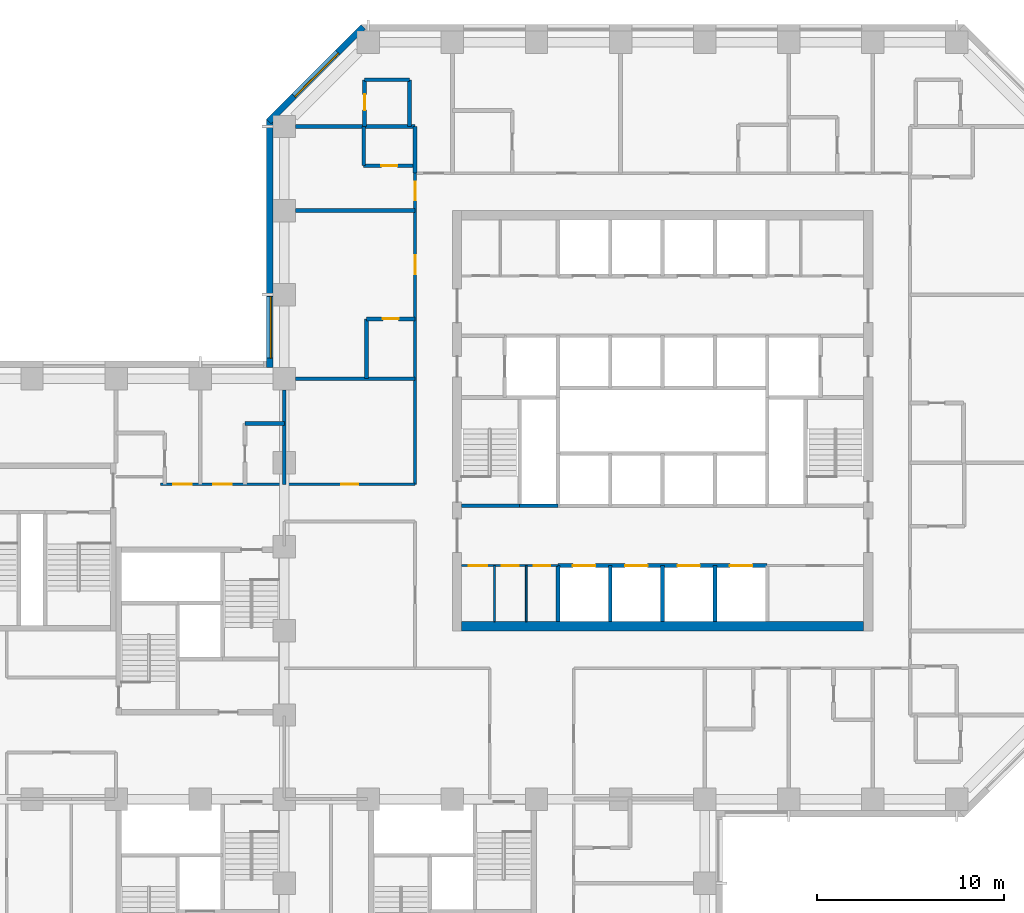
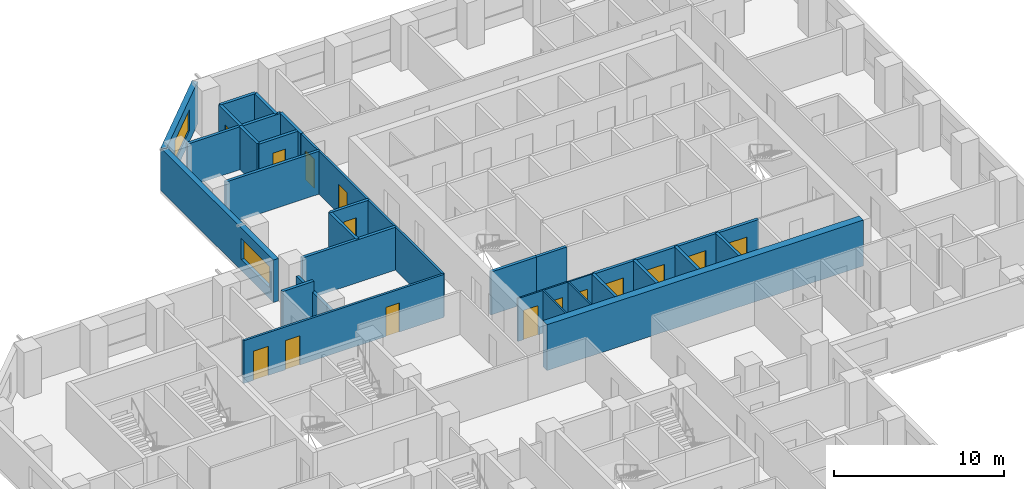
# One storey, part 8 of 13: 28 walls, 15 doors, 2 windows, 17 openings.
"""IFC4 building model written with IfcOpenShell, lengths in metres."""

import ifcopenshell
import ifcopenshell.guid

model = None  # the IFC model being written
_history = None  # IfcOwnerHistory: only IFC2X3 demands one
_inside = {}  # id of a spatial element -> (the spatial element, [elements in it])
_under = {}  # id of a project, library or spatial element -> (it, [spatial elements below it])
_declared = {}  # id of a project -> (the project, [libraries it declares])
_typed = {}  # id of a type object -> (the type object, [elements of that type])
_made_of = {}  # id of a material, layer set ... -> (it, [elements and type objects made of it])


def new_model(schema):
    """Start an empty IFC model of exactly this schema.

    Asked for "IFC4X3", IfcOpenShell would pick the latest addendum, in which some entities
    have other attributes; the version numbers below select the first issue.
    IFC2X3 requires an IfcOwnerHistory on every rooted entity: one is made here for all.
    """
    global model, _history
    if schema == "IFC4X3":
        model = ifcopenshell.file(schema_version=(4, 3, 0, 0))
    else:
        model = ifcopenshell.file(schema=schema)
    _inside.clear()
    _under.clear()
    _declared.clear()
    _typed.clear()
    _made_of.clear()
    _history = None
    if model.schema == "IFC2X3":
        org = make("IfcOrganization", Name="unknown")
        user = make(
            "IfcPersonAndOrganization",
            ThePerson=make("IfcPerson", FamilyName="unknown"),
            TheOrganization=org,
        )
        app = make(
            "IfcApplication",
            ApplicationDeveloper=org,
            Version="unknown",
            ApplicationFullName="unknown",
            ApplicationIdentifier="unknown",
        )
        _history = make(
            "IfcOwnerHistory",
            OwningUser=user,
            OwningApplication=app,
            ChangeAction="ADDED",
            CreationDate=0,
        )
    return model


def make(cls, **values):
    """One entity of the class cls with the attributes given. An attribute that is None is left unset."""
    return model.create_entity(
        cls, **{name: value for name, value in values.items() if value is not None}
    )


def rooted(cls, **values):
    """An entity with a GlobalId (a new one), such as an element, a storey or a relation."""
    return make(cls, GlobalId=ifcopenshell.guid.new(), OwnerHistory=_history, **values)


def si_unit(unit_type, name, prefix=None):
    """IfcSIUnit, for example si_unit("LENGTHUNIT", "METRE", prefix="MILLI")."""
    return make("IfcSIUnit", UnitType=unit_type, Prefix=prefix, Name=name)


def assignment(units):
    """IfcUnitAssignment: the units of a project."""
    return None if units is None else make("IfcUnitAssignment", Units=units)


def point(xyz):
    """IfcCartesianPoint."""
    return None if xyz is None else make("IfcCartesianPoint", Coordinates=xyz)


def direction(xyz):
    """IfcDirection."""
    return None if xyz is None else make("IfcDirection", DirectionRatios=xyz)


def frame(location, z_axis=None, x_axis=None):
    """IfcAxis2Placement3D, a coordinate frame: its origin and axes. An axis left out is left unset."""
    return make(
        "IfcAxis2Placement3D",
        Location=point(location),
        Axis=direction(z_axis),
        RefDirection=direction(x_axis),
    )


def frame_2d(location, x_axis=None):
    """IfcAxis2Placement2D, a coordinate frame in the plane: its origin and x axis."""
    return make(
        "IfcAxis2Placement2D", Location=point(location), RefDirection=direction(x_axis)
    )


def origin():
    """The frame at (0, 0, 0) with its axes left unset."""
    return frame((0.0, 0.0, 0.0))


def place(relative_to, where):
    """IfcLocalPlacement: puts the frame where relative to a parent placement (None: the world)."""
    return make(
        "IfcLocalPlacement", PlacementRelTo=relative_to, RelativePlacement=where
    )


def context(
    kind, dimensions, precision=None, world=None, true_north=None, identifier=None
):
    """IfcGeometricRepresentationContext, for example the 3D "Model" context."""
    return make(
        "IfcGeometricRepresentationContext",
        ContextIdentifier=identifier,
        ContextType=kind,
        CoordinateSpaceDimension=dimensions,
        Precision=precision,
        WorldCoordinateSystem=world,
        TrueNorth=true_north,
    )


def subcontext(parent, identifier, kind, view, scale=None):
    """IfcGeometricRepresentationSubContext, for example "Body" below "Model"."""
    return make(
        "IfcGeometricRepresentationSubContext",
        ContextIdentifier=identifier,
        ContextType=kind,
        ParentContext=parent,
        TargetScale=scale,
        TargetView=view,
    )


def project(units=None, contexts=None):
    """IfcProject with its units and contexts."""
    return rooted(
        "IfcProject",
        Name="project",
        RepresentationContexts=contexts,
        UnitsInContext=assignment(units),
    )


def spatial(cls, under=None, at=None, **own):
    """A site, building, storey or space (cls), placed at a placement, below another one or the project."""
    s = rooted(cls, ObjectPlacement=at, **own)
    if under is not None:
        _under.setdefault(under.id(), (under, []))[1].append(s)
    return s


def profile(cls, at=None, kind="AREA", **sizes):
    """A parametric profile (cls). Its sizes go by their IFC names, for example OverallWidth=200.0."""
    return make(cls, ProfileType=kind, Position=at, **sizes)


def rectangle(**sizes):
    """IfcRectangleProfileDef."""
    return profile("IfcRectangleProfileDef", **sizes)


def extrude(swept, where, along, depth):
    """IfcExtrudedAreaSolid: the profile swept, set in the frame where, extruded along a direction by depth."""
    return make(
        "IfcExtrudedAreaSolid",
        SweptArea=swept,
        Position=where,
        ExtrudedDirection=direction(along),
        Depth=depth,
    )


def shape(context_of_items, identifier, shape_type, items):
    """IfcShapeRepresentation: the items that make up one representation, for example the "Body"."""
    return make(
        "IfcShapeRepresentation",
        ContextOfItems=context_of_items,
        RepresentationIdentifier=identifier,
        RepresentationType=shape_type,
        Items=items,
    )


def material(Name=None, Category=None):
    """IfcMaterial."""
    return make("IfcMaterial", Name=Name, Category=Category)


def layer(
    of_material, thickness, ventilated=None, Name=None, Category=None, Priority=None
):
    """IfcMaterialLayer: one layer of a wall or slab, of a material (None: an air gap)."""
    return make(
        "IfcMaterialLayer",
        Material=of_material,
        LayerThickness=thickness,
        IsVentilated=ventilated,
        Name=Name,
        Category=Category,
        Priority=Priority,
    )


def layer_set(layers, Name=None):
    """IfcMaterialLayerSet."""
    return make("IfcMaterialLayerSet", MaterialLayers=layers, LayerSetName=Name)


def constituent(of_material, Name=None, Category=None, fraction=None):
    """IfcMaterialConstituent: one of the materials an element consists of."""
    return make(
        "IfcMaterialConstituent",
        Name=Name,
        Material=of_material,
        Fraction=fraction,
        Category=Category,
    )


def constituent_set(constituents=None, Name=None):
    """IfcMaterialConstituentSet."""
    return make(
        "IfcMaterialConstituentSet", Name=Name, MaterialConstituents=constituents
    )


def made_of(thing, what):
    """Note that an element or type object is made of a material, layer set ...; save() writes the relation."""
    if what is not None:
        _made_of.setdefault(what.id(), (what, []))[1].append(thing)
    return thing


def type_object(cls, material=None, **own):
    """A type object (cls), such as IfcWallType, which elements share."""
    return made_of(rooted(cls, **own), material)


def element(
    cls,
    number,
    at=None,
    inside=None,
    cuts=None,
    type_object=None,
    material=None,
    context=None,
    identifier="Body",
    shape_type=None,
    held_by="IfcProductDefinitionShape",
    body=None,
    shapes=None,
    **own,
):
    """One element of the class cls, such as IfcWall. Its Tag is "e" and its number.

    at: its placement. inside: the storey or other place that contains it. cuts: it is an
    opening in that element (IfcRelVoidsElement). A single representation is given by context,
    identifier, shape_type and body (its items); several are given by shapes. held_by: the class
    of the entity that holds the representations. save() writes the other relations.
    """
    e = rooted(cls, Tag="e%d" % number, ObjectPlacement=at, **own)
    if body is not None:
        shapes = [shape(context, identifier, shape_type, body)]
    if shapes is not None:
        e.Representation = make(held_by, Representations=shapes)
    if inside is not None:
        _inside.setdefault(inside.id(), (inside, []))[1].append(e)
    if cuts is not None:
        rooted(
            "IfcRelVoidsElement", RelatingBuildingElement=cuts, RelatedOpeningElement=e
        )
    if type_object is not None:
        _typed.setdefault(type_object.id(), (type_object, []))[1].append(e)
    return made_of(e, material)


def fill(opening, filler):
    """IfcRelFillsElement: the door or window that sits in an opening."""
    return rooted(
        "IfcRelFillsElement",
        RelatingOpeningElement=opening,
        RelatedBuildingElement=filler,
    )


def aggregate(whole, parts):
    """IfcRelAggregates: a whole, such as a stair, and the parts it consists of."""
    return rooted("IfcRelAggregates", RelatingObject=whole, RelatedObjects=parts)


def save(model, path):
    """Write the relations noted so far, then the file.

    IfcRelAggregates (storeys below a building ...), IfcRelContainedInSpatialStructure (elements
    in a storey), IfcRelDefinesByType, IfcRelAssociatesMaterial and IfcRelDeclares: one each for
    every whole, place, type object, material and project.
    """
    for whole, parts in _under.values():
        aggregate(whole, parts)
    for where, things in _inside.values():
        rooted(
            "IfcRelContainedInSpatialStructure",
            RelatedElements=things,
            RelatingStructure=where,
        )
    for kind, things in _typed.values():
        rooted("IfcRelDefinesByType", RelatedObjects=things, RelatingType=kind)
    for what, things in _made_of.values():
        rooted("IfcRelAssociatesMaterial", RelatedObjects=things, RelatingMaterial=what)
    for by, libraries in _declared.values():
        rooted("IfcRelDeclares", RelatingContext=by, RelatedDefinitions=libraries)
    model.write(path)


model = new_model("IFC4")

# Units and contexts
model_context = context("Model", 3, precision=1e-05, world=origin(), true_north=direction((0.0, 1.0)))
body_context = subcontext(model_context, "Body", "Model", "MODEL_VIEW")
ifc_project = project(units=[si_unit("LENGTHUNIT", "METRE"), si_unit("AREAUNIT", "SQUARE_METRE"), si_unit("VOLUMEUNIT", "CUBIC_METRE"), si_unit("PLANEANGLEUNIT", "RADIAN"), si_unit("MASSUNIT", "GRAM", prefix="KILO")], contexts=[model_context])

# Site, building, storey
site_placement = place(None, origin())
site = spatial("IfcSite", under=ifc_project, at=site_placement, CompositionType="ELEMENT")
building_placement = place(site_placement, origin())
building = spatial("IfcBuilding", under=site, at=building_placement, Name="Quoin Convention Tower", CompositionType="ELEMENT")
storey_placement = place(building_placement, frame((0.0, 0.0, 36.300048828125)))
storey = spatial("IfcBuildingStorey", under=building, at=storey_placement, Name="L08", CompositionType="ELEMENT", Elevation=36.300048828125)

# Wall, opening, window
ifc_material_1 = material(Name="Brick masonry", Category="masonry")
ifc_layer_1 = layer(ifc_material_1, 0.35009765625)
ifc_layer_set_1 = layer_set([ifc_layer_1], Name="Brick masonry")
wall_type_1 = type_object("IfcWallType", Name="Brick facade wall", PredefinedType="STANDARD", material=ifc_layer_set_1)
wall_1_placement = place(storey_placement, frame((40.230224609375, 81.826416015625, 0.0), z_axis=(0.0, 0.0, 1.0), x_axis=(-0.707106781187, -0.707106781187, 0.0)))
wall_1 = element("IfcWall", 1, at=wall_1_placement, inside=storey, type_object=wall_type_1, Name="fw-L08-40500_81000", PredefinedType="STANDARD", context=body_context, shape_type="SweptSolid", body=[
    extrude(rectangle(XDim=7.151123046875, YDim=0.35009765625, at=frame_2d((3.57568359375, 0.0))), origin(), (0.0, 0.0, 1.0), 3.054931640625),
])
opening_1_placement = place(wall_1_placement, frame((1.925537109375, 0.0, 0.800048828125)))
opening_1 = element("IfcOpeningElement", 2, at=opening_1_placement, cuts=wall_1, Name="Opening W-01", PredefinedType="OPENING", context=body_context, shape_type="SweptSolid", body=[
    extrude(rectangle(XDim=3.300048828125, YDim=1.5, at=frame_2d((1.64990234375, 0.75))), frame((0.0, 0.18505859375, 0.0), z_axis=(0.0, -1.0, 0.0), x_axis=(1.0, 0.0, 0.0)), (0.0, 0.0, 1.0), 0.3701171875),
])
ifc_material_2 = material(Name="Aluminium", Category="aluminium")
ifc_constituent_1 = constituent(ifc_material_2, Name="Frame")
ifc_material_3 = material(Name="Insulated glass", Category="glass")
ifc_constituent_2 = constituent(ifc_material_3, Name="Glazing")
ifc_constituent_set = constituent_set(constituents=[ifc_constituent_1, ifc_constituent_2], Name="Aluminium")
window_type = type_object("IfcWindowType", Name="Hotel strip window", PartitioningType="DOUBLE_PANEL_VERTICAL", PredefinedType="WINDOW", material=ifc_constituent_set)
window_1_placement = place(opening_1_placement, origin())
window_1 = element("IfcWindow", 3, at=window_1_placement, inside=storey, type_object=window_type, Name="win-L08-37702_79298", OverallHeight=1.5, OverallWidth=3.300048828125, PartitioningType="SINGLE_PANEL", PredefinedType="WINDOW", context=body_context, shape_type="SweptSolid", body=[
    extrude(rectangle(XDim=3.300048828125, YDim=1.5, at=frame_2d((1.64990234375, 0.75))), frame((0.0, 0.0849609375, 0.0), z_axis=(0.0, -1.0, 0.0), x_axis=(1.0, 0.0, 0.0)), (0.0, 0.0, 1.0), 0.06005859375),
])
fill(opening_1, window_1)

wall_2_placement = place(storey_placement, frame((35.22509765625, 76.8935546875, 0.0), z_axis=(0.0, 0.0, 1.0), x_axis=(0.0, -1.0, 0.0)))
wall_2 = element("IfcWall", 4, at=wall_2_placement, inside=storey, type_object=wall_type_1, Name="fw-L08-36000_76500", PredefinedType="STANDARD", context=body_context, shape_type="SweptSolid", body=[
    extrude(rectangle(XDim=13.29345703125, YDim=0.35009765625, at=frame_2d((6.646728515625, 0.0))), origin(), (0.0, 0.0, 1.0), 3.054931640625),
])
opening_2_placement = place(wall_2_placement, frame((9.493408203125, 0.0, 0.800048828125)))
opening_2 = element("IfcOpeningElement", 5, at=opening_2_placement, cuts=wall_2, Name="Opening W-01", PredefinedType="OPENING", context=body_context, shape_type="SweptSolid", body=[
    extrude(rectangle(XDim=3.300048828125, YDim=1.5, at=frame_2d((1.64990234375, 0.75))), frame((0.0, 0.18505859375, 0.0), z_axis=(0.0, -1.0, 0.0), x_axis=(1.0, 0.0, 0.0)), (0.0, 0.0, 1.0), 0.3701171875),
])
window_2_placement = place(opening_2_placement, origin())
window_2 = element("IfcWindow", 6, at=window_2_placement, inside=storey, type_object=window_type, Name="win-L08-35225_65250", OverallHeight=1.5, OverallWidth=3.300048828125, PartitioningType="SINGLE_PANEL", PredefinedType="WINDOW", context=body_context, shape_type="SweptSolid", body=[
    extrude(rectangle(XDim=3.300048828125, YDim=1.5, at=frame_2d((1.64990234375, 0.75))), frame((0.0, 0.0849609375, 0.0), z_axis=(0.0, -1.0, 0.0), x_axis=(1.0, 0.0, 0.0)), (0.0, 0.0, 1.0), 0.06005859375),
])
fill(opening_2, window_2)

# Wall, openings, doors
ifc_material_4 = material(Name="Plasterboard")
ifc_layer_2 = layer(ifc_material_4, 0.012451171875, Name="Finish")
ifc_material_5 = material(Name="Steel stud framing", Category="steel")
ifc_layer_3 = layer(ifc_material_5, 0.074951171875, Name="Structure")
ifc_layer_4 = layer(ifc_material_4, 0.012451171875, Name="Finish")
ifc_layer_set_2 = layer_set([ifc_layer_2, ifc_layer_3, ifc_layer_4], Name="Steel stud framing")
wall_type_2 = type_object("IfcWallType", Name="Core partition wall", PredefinedType="PARTITIONING", material=ifc_layer_set_2)
wall_3_placement = place(storey_placement, frame((45.5, 53.0, 0.0), z_axis=(0.0, 0.0, 1.0), x_axis=(1.0, 0.0, 0.0)))
wall_3 = element("IfcWall", 7, at=wall_3_placement, inside=storey, type_object=wall_type_2, Name="cr-C1-L08-h3500_500", PredefinedType="PARTITIONING", context=body_context, shape_type="SweptSolid", body=[
    extrude(rectangle(XDim=5.14990234375, YDim=0.10009765625, at=frame_2d((2.574951171875, 0.0))), origin(), (0.0, 0.0, 1.0), 3.079833984375),
])
opening_3_placement = place(wall_3_placement, frame((0.37548828125, 0.0, 0.0)))
opening_3 = element("IfcOpeningElement", 8, at=opening_3_placement, cuts=wall_3, Name="Opening DCV3-34", PredefinedType="OPENING", context=body_context, shape_type="SweptSolid", body=[
    extrude(rectangle(XDim=1.0, YDim=2.10009765625, at=frame_2d((0.5, 1.050048828125))), frame((0.0, 0.06005859375, 0.0), z_axis=(0.0, -1.0, 0.0), x_axis=(1.0, 0.0, 0.0)), (0.0, 0.0, 1.0), 0.1201171875),
])
opening_4_placement = place(wall_3_placement, frame((2.150634765625, 0.0, 0.0)))
opening_4 = element("IfcOpeningElement", 9, at=opening_4_placement, cuts=wall_3, Name="Opening DCV3-35", PredefinedType="OPENING", context=body_context, shape_type="SweptSolid", body=[
    extrude(rectangle(XDim=0.89990234375, YDim=2.10009765625, at=frame_2d((0.449951171875, 1.050048828125))), frame((0.0, 0.06005859375, 0.0), z_axis=(0.0, -1.0, 0.0), x_axis=(1.0, 0.0, 0.0)), (0.0, 0.0, 1.0), 0.1201171875),
])
opening_5_placement = place(wall_3_placement, frame((3.85009765625, 0.0, 0.0)))
opening_5 = element("IfcOpeningElement", 10, at=opening_5_placement, cuts=wall_3, Name="Opening DCV3-36", PredefinedType="OPENING", context=body_context, shape_type="SweptSolid", body=[
    extrude(rectangle(XDim=0.89990234375, YDim=2.10009765625, at=frame_2d((0.449951171875, 1.050048828125))), frame((0.0, 0.06005859375, 0.0), z_axis=(0.0, -1.0, 0.0), x_axis=(1.0, 0.0, 0.0)), (0.0, 0.0, 1.0), 0.1201171875),
])
ifc_material_6 = material(Name="Steel door leaf", Category="steel")
door_type_1 = type_object("IfcDoorType", Name="Core room door 1000 x 2100", OperationType="SINGLE_SWING_LEFT", PredefinedType="DOOR", material=ifc_material_6)
door_1_placement = place(opening_3_placement, frame((1.0, 0.0, 0.0), z_axis=(0.0, 0.0, 1.0), x_axis=(-1.0, 0.0, 0.0)))
door_1 = element("IfcDoor", 11, at=door_1_placement, inside=storey, type_object=door_type_1, Name="cd-C1-L08-CSW0-lobA-CD0812", OperationType="SINGLE_SWING_LEFT", OverallHeight=2.10009765625, OverallWidth=1.0, PredefinedType="DOOR", context=body_context, shape_type="SweptSolid", body=[
    extrude(rectangle(XDim=1.0, YDim=2.10009765625, at=frame_2d((0.5, 1.050048828125))), frame((0.0, 0.02490234375, 0.0), z_axis=(0.0, -1.0, 0.0), x_axis=(1.0, 0.0, 0.0)), (0.0, 0.0, 1.0), 0.050048828125),
])
fill(opening_3, door_1)
door_type_2 = type_object("IfcDoorType", Name="Core room door 900 x 2100", OperationType="SINGLE_SWING_LEFT", PredefinedType="DOOR", material=ifc_material_6)
door_2_placement = place(opening_4_placement, frame((0.89990234375, 0.0, 0.0), z_axis=(0.0, 0.0, 1.0), x_axis=(-1.0, 0.0, 0.0)))
door_2 = element("IfcDoor", 12, at=door_2_placement, inside=storey, type_object=door_type_2, Name="cd-C1-L08-CSW1-lobA-CD0813", OperationType="SINGLE_SWING_LEFT", OverallHeight=2.10009765625, OverallWidth=0.89990234375, PredefinedType="DOOR", context=body_context, shape_type="SweptSolid", body=[
    extrude(rectangle(XDim=0.89990234375, YDim=2.10009765625, at=frame_2d((0.449951171875, 1.050048828125))), frame((0.0, 0.02490234375, 0.0), z_axis=(0.0, -1.0, 0.0), x_axis=(1.0, 0.0, 0.0)), (0.0, 0.0, 1.0), 0.050048828125),
])
fill(opening_4, door_2)
door_3_placement = place(opening_5_placement, frame((0.89990234375, 0.0, 0.0), z_axis=(0.0, 0.0, 1.0), x_axis=(-1.0, 0.0, 0.0)))
door_3 = element("IfcDoor", 13, at=door_3_placement, inside=storey, type_object=door_type_2, Name="cd-C1-L08-CSW2-lobA-CD0814", OperationType="SINGLE_SWING_LEFT", OverallHeight=2.10009765625, OverallWidth=0.89990234375, PredefinedType="DOOR", context=body_context, shape_type="SweptSolid", body=[
    extrude(rectangle(XDim=0.89990234375, YDim=2.10009765625, at=frame_2d((0.449951171875, 1.050048828125))), frame((0.0, 0.02490234375, 0.0), z_axis=(0.0, -1.0, 0.0), x_axis=(1.0, 0.0, 0.0)), (0.0, 0.0, 1.0), 0.050048828125),
])
fill(opening_5, door_3)

# Walls
for number, where, z_axis, x_axis, name in (
    (14, (47.2509765625, 50.0, 0.0), (0.0, 0.0, 1.0), (0.0, 1.0, 0.0), "cr-C1-L08-v2251_500"),
    (15, (48.950439453125, 50.0, 0.0), (0.0, 0.0, 1.0), (0.0, 1.0, 0.0), "cr-C1-L08-v3950_500"),
):
    element("IfcWall", number, at=place(storey_placement, frame(where, z_axis=z_axis, x_axis=x_axis)), inside=storey, type_object=wall_type_2, Name=name, PredefinedType="PARTITIONING", context=body_context, shape_type="SweptSolid", body=[
        extrude(rectangle(XDim=3.0, YDim=0.10009765625, at=frame_2d((1.5, 0.0))), origin(), (0.0, 0.0, 1.0), 3.079833984375),
    ])

# Wall, openings, doors
ifc_material_7 = material(Name="Concrete C50", Category="concrete")
ifc_layer_5 = layer(ifc_material_7, 0.199951171875)
ifc_layer_set_3 = layer_set([ifc_layer_5], Name="Concrete C50")
wall_type_3 = type_object("IfcWallType", Name="Core shaft wall", PredefinedType="SOLIDWALL", material=ifc_layer_set_3)
wall_4_placement = place(storey_placement, frame((50.64990234375, 53.0, 0.0), z_axis=(0.0, 0.0, 1.0), x_axis=(1.0, 0.0, 0.0)))
wall_4 = element("IfcWall", 16, at=wall_4_placement, inside=storey, type_object=wall_type_3, Name="cr-C1-L08-h3500_5650", PredefinedType="SOLIDWALL", context=body_context, shape_type="SweptSolid", body=[
    extrude(rectangle(XDim=11.2001953125, YDim=0.199951171875, at=frame_2d((5.60009765625, 0.0))), origin(), (0.0, 0.0, 1.0), 3.079833984375),
])
opening_6_placement = place(wall_4_placement, frame((0.800048828125, 0.0, 0.0)))
opening_6 = element("IfcOpeningElement", 17, at=opening_6_placement, cuts=wall_4, Name="Opening LDL1", PredefinedType="OPENING", context=body_context, shape_type="SweptSolid", body=[
    extrude(rectangle(XDim=1.199951171875, YDim=2.10009765625, at=frame_2d((0.60009765625, 1.050048828125))), frame((0.0, 0.10986328125, 0.0), z_axis=(0.0, -1.0, 0.0), x_axis=(1.0, 0.0, 0.0)), (0.0, 0.0, 1.0), 0.219970703125),
])
opening_7_placement = place(wall_4_placement, frame((3.60009765625, 0.0, 0.0)))
opening_7 = element("IfcOpeningElement", 18, at=opening_7_placement, cuts=wall_4, Name="Opening LDL2", PredefinedType="OPENING", context=body_context, shape_type="SweptSolid", body=[
    extrude(rectangle(XDim=1.199951171875, YDim=2.10009765625, at=frame_2d((0.60009765625, 1.050048828125))), frame((0.0, 0.10986328125, 0.0), z_axis=(0.0, -1.0, 0.0), x_axis=(1.0, 0.0, 0.0)), (0.0, 0.0, 1.0), 0.219970703125),
])
opening_8_placement = place(wall_4_placement, frame((6.39990234375, 0.0, 0.0)))
opening_8 = element("IfcOpeningElement", 19, at=opening_8_placement, cuts=wall_4, Name="Opening LDL3", PredefinedType="OPENING", context=body_context, shape_type="SweptSolid", body=[
    extrude(rectangle(XDim=1.199951171875, YDim=2.10009765625, at=frame_2d((0.60009765625, 1.050048828125))), frame((0.0, 0.10986328125, 0.0), z_axis=(0.0, -1.0, 0.0), x_axis=(1.0, 0.0, 0.0)), (0.0, 0.0, 1.0), 0.219970703125),
])
opening_9_placement = place(wall_4_placement, frame((9.199951171875, 0.0, 0.0)))
opening_9 = element("IfcOpeningElement", 20, at=opening_9_placement, cuts=wall_4, Name="Opening LDL4", PredefinedType="OPENING", context=body_context, shape_type="SweptSolid", body=[
    extrude(rectangle(XDim=1.199951171875, YDim=2.10009765625, at=frame_2d((0.60009765625, 1.050048828125))), frame((0.0, 0.10986328125, 0.0), z_axis=(0.0, -1.0, 0.0), x_axis=(1.0, 0.0, 0.0)), (0.0, 0.0, 1.0), 0.219970703125),
])
door_type_3 = type_object("IfcDoorType", Name="Lift landing door 1200 x 2100", OperationType="DOUBLE_DOOR_SLIDING", PredefinedType="DOOR", material=ifc_material_6)
door_4_placement = place(opening_6_placement, origin())
door_4 = element("IfcDoor", 21, at=door_4_placement, inside=storey, type_object=door_type_3, Name="cd-C1-L08-R10-lobA-LDL1", OperationType="DOUBLE_DOOR_SLIDING", OverallHeight=2.10009765625, OverallWidth=1.199951171875, PredefinedType="DOOR", context=body_context, shape_type="SweptSolid", body=[
    extrude(rectangle(XDim=1.199951171875, YDim=2.10009765625, at=frame_2d((0.60009765625, 1.050048828125))), frame((0.0, 0.02490234375, 0.0), z_axis=(0.0, -1.0, 0.0), x_axis=(1.0, 0.0, 0.0)), (0.0, 0.0, 1.0), 0.050048828125),
])
fill(opening_6, door_4)
door_5_placement = place(opening_7_placement, origin())
door_5 = element("IfcDoor", 22, at=door_5_placement, inside=storey, type_object=door_type_3, Name="cd-C1-L08-R11-lobA-LDL2", OperationType="DOUBLE_DOOR_SLIDING", OverallHeight=2.10009765625, OverallWidth=1.199951171875, PredefinedType="DOOR", context=body_context, shape_type="SweptSolid", body=[
    extrude(rectangle(XDim=1.199951171875, YDim=2.10009765625, at=frame_2d((0.60009765625, 1.050048828125))), frame((0.0, 0.02490234375, 0.0), z_axis=(0.0, -1.0, 0.0), x_axis=(1.0, 0.0, 0.0)), (0.0, 0.0, 1.0), 0.050048828125),
])
fill(opening_7, door_5)
door_6_placement = place(opening_8_placement, origin())
door_6 = element("IfcDoor", 23, at=door_6_placement, inside=storey, type_object=door_type_3, Name="cd-C1-L08-R12-lobA-LDL3", OperationType="DOUBLE_DOOR_SLIDING", OverallHeight=2.10009765625, OverallWidth=1.199951171875, PredefinedType="DOOR", context=body_context, shape_type="SweptSolid", body=[
    extrude(rectangle(XDim=1.199951171875, YDim=2.10009765625, at=frame_2d((0.60009765625, 1.050048828125))), frame((0.0, 0.02490234375, 0.0), z_axis=(0.0, -1.0, 0.0), x_axis=(1.0, 0.0, 0.0)), (0.0, 0.0, 1.0), 0.050048828125),
])
fill(opening_8, door_6)
door_7_placement = place(opening_9_placement, origin())
door_7 = element("IfcDoor", 24, at=door_7_placement, inside=storey, type_object=door_type_3, Name="cd-C1-L08-R13-lobA-LDL4", OperationType="DOUBLE_DOOR_SLIDING", OverallHeight=2.10009765625, OverallWidth=1.199951171875, PredefinedType="DOOR", context=body_context, shape_type="SweptSolid", body=[
    extrude(rectangle(XDim=1.199951171875, YDim=2.10009765625, at=frame_2d((0.60009765625, 1.050048828125))), frame((0.0, 0.02490234375, 0.0), z_axis=(0.0, -1.0, 0.0), x_axis=(1.0, 0.0, 0.0)), (0.0, 0.0, 1.0), 0.050048828125),
])
fill(opening_9, door_7)

# Walls
wall_5_placement = place(storey_placement, frame((48.60009765625, 56.199951171875, 0.0), z_axis=(0.0, 0.0, 1.0), x_axis=(1.0, 0.0, 0.0)))
element("IfcWall", 25, at=wall_5_placement, inside=storey, type_object=wall_type_3, Name="cr-C1-L08-h6700_3600", PredefinedType="SOLIDWALL", context=body_context, shape_type="SweptSolid", body=[
    extrude(rectangle(XDim=2.0498046875, YDim=0.199951171875, at=frame_2d((1.02490234375, 0.0))), origin(), (0.0, 0.0, 1.0), 3.079833984375),
])
wall_6_placement = place(storey_placement, frame((45.5, 56.199951171875, 0.0), z_axis=(0.0, 0.0, 1.0), x_axis=(1.0, 0.0, 0.0)))
element("IfcWall", 26, at=wall_6_placement, inside=storey, type_object=wall_type_3, Name="cr-C1-L08-h6700_500", PredefinedType="SOLIDWALL", context=body_context, shape_type="SweptSolid", body=[
    extrude(rectangle(XDim=3.10009765625, YDim=0.199951171875, at=frame_2d((1.550048828125, 0.0))), origin(), (0.0, 0.0, 1.0), 3.079833984375),
])
for number, where, z_axis, x_axis, name in (
    (27, (50.64990234375, 50.0, 0.0), (0.0, 0.0, 1.0), (0.0, 1.0, 0.0), "cr-C1-L08-v5650_500"),
    (28, (53.449951171875, 50.0, 0.0), (0.0, 0.0, 1.0), (0.0, 1.0, 0.0), "cr-C1-L08-v8450_500"),
    (29, (56.25, 50.0, 0.0), (0.0, 0.0, 1.0), (0.0, 1.0, 0.0), "cr-C1-L08-v11250_500"),
    (30, (59.050048828125, 50.0, 0.0), (0.0, 0.0, 1.0), (0.0, 1.0, 0.0), "cr-C1-L08-v14050_500"),
):
    element("IfcWall", number, at=place(storey_placement, frame(where, z_axis=z_axis, x_axis=x_axis)), inside=storey, type_object=wall_type_3, Name=name, PredefinedType="SOLIDWALL", context=body_context, shape_type="SweptSolid", body=[
        extrude(rectangle(XDim=3.0, YDim=0.199951171875, at=frame_2d((1.5, 0.0))), origin(), (0.0, 0.0, 1.0), 3.079833984375),
    ])
ifc_material_8 = material(Name="Concrete C80", Category="concrete")
ifc_layer_6 = layer(ifc_material_8, 0.5)
ifc_layer_set_4 = layer_set([ifc_layer_6], Name="Concrete C80")
wall_type_4 = type_object("IfcWallType", Name="RC CORE WALL 500 C80", PredefinedType="SHEAR", material=ifc_layer_set_4)
wall_7_placement = place(storey_placement, frame((45.5, 49.75, 0.0), z_axis=(0.0, 0.0, 1.0), x_axis=(1.0, 0.0, 0.0)))
element("IfcWall", 31, at=wall_7_placement, inside=storey, type_object=wall_type_4, Name="cwl-C1-L08-S", PredefinedType="SHEAR", context=body_context, shape_type="SweptSolid", body=[
    extrude(rectangle(XDim=21.5, YDim=0.5, at=frame_2d((10.75, 0.0))), origin(), (0.0, 0.0, 1.0), 3.300048828125),
])
ifc_layer_7 = layer(ifc_material_7, 0.199951171875)
ifc_layer_set_5 = layer_set([ifc_layer_7], Name="Concrete C50")
wall_type_5 = type_object("IfcWallType", Name="RC party wall", PredefinedType="SOLIDWALL", material=ifc_layer_set_5)
wall_8_placement = place(storey_placement, frame((33.89990234375, 60.60009765625, 0.0), z_axis=(0.0, 0.0, 1.0), x_axis=(1.0, 0.0, 0.0)))
element("IfcWall", 32, at=wall_8_placement, inside=storey, type_object=wall_type_5, Name="pw-L08-123", PredefinedType="SOLIDWALL", context=body_context, shape_type="SweptSolid", body=[
    extrude(rectangle(XDim=2.10009765625, YDim=0.199951171875, at=frame_2d((1.050048828125, 0.0))), origin(), (0.0, 0.0, 1.0), 3.079833984375),
])
wall_9_placement = place(storey_placement, frame((40.39990234375, 63.0, 0.0), z_axis=(0.0, 0.0, 1.0), x_axis=(0.0, 1.0, 0.0)))
element("IfcWall", 33, at=wall_9_placement, inside=storey, type_object=wall_type_5, Name="pw-L08-126", PredefinedType="SOLIDWALL", context=body_context, shape_type="SweptSolid", body=[
    extrude(rectangle(XDim=3.199951171875, YDim=0.199951171875, at=frame_2d((1.60009765625, 0.0))), origin(), (0.0, 0.0, 1.0), 3.079833984375),
])

# Wall, opening, door
wall_10_placement = place(storey_placement, frame((40.39990234375, 66.199951171875, 0.0), z_axis=(0.0, 0.0, 1.0), x_axis=(1.0, 0.0, 0.0)))
wall_10 = element("IfcWall", 34, at=wall_10_placement, inside=storey, type_object=wall_type_5, Name="pw-L08-127", PredefinedType="SOLIDWALL", context=body_context, shape_type="SweptSolid", body=[
    extrude(rectangle(XDim=2.60009765625, YDim=0.199951171875, at=frame_2d((1.300048828125, 0.0))), origin(), (0.0, 0.0, 1.0), 3.079833984375),
])
opening_10_placement = place(wall_10_placement, frame((0.875, 0.0, 0.0)))
opening_10 = element("IfcOpeningElement", 35, at=opening_10_placement, cuts=wall_10, Name="Opening DHOTEL-D-66", PredefinedType="OPENING", context=body_context, shape_type="SweptSolid", body=[
    extrude(rectangle(XDim=0.85009765625, YDim=2.10009765625, at=frame_2d((0.425048828125, 1.050048828125))), frame((0.0, 0.10986328125, 0.0), z_axis=(0.0, -1.0, 0.0), x_axis=(1.0, 0.0, 0.0)), (0.0, 0.0, 1.0), 0.219970703125),
])
door_type_4 = type_object("IfcDoorType", Name="Bathroom door", OperationType="SINGLE_SWING_LEFT", PredefinedType="DOOR", material=ifc_material_6)
door_8_placement = place(opening_10_placement, origin())
door_8 = element("IfcDoor", 36, at=door_8_placement, inside=storey, type_object=door_type_4, Name="dr-L08-038", OperationType="SINGLE_SWING_RIGHT", OverallHeight=2.10009765625, OverallWidth=0.85009765625, PredefinedType="DOOR", context=body_context, shape_type="SweptSolid", body=[
    extrude(rectangle(XDim=0.85009765625, YDim=2.10009765625, at=frame_2d((0.425048828125, 1.050048828125))), frame((0.0, 0.02490234375, 0.0), z_axis=(0.0, -1.0, 0.0), x_axis=(1.0, 0.0, 0.0)), (0.0, 0.0, 1.0), 0.050048828125),
])
fill(opening_10, door_8)

# Walls
wall_11_placement = place(storey_placement, frame((36.60009765625, 72.0, 0.0), z_axis=(0.0, 0.0, 1.0), x_axis=(1.0, 0.0, 0.0)))
element("IfcWall", 37, at=wall_11_placement, inside=storey, type_object=wall_type_5, Name="pw-L08-129", PredefinedType="SOLIDWALL", context=body_context, shape_type="SweptSolid", body=[
    extrude(rectangle(XDim=6.39990234375, YDim=0.199951171875, at=frame_2d((3.199951171875, 0.0))), origin(), (0.0, 0.0, 1.0), 3.079833984375),
])
wall_12_placement = place(storey_placement, frame((43.0, 74.0, 0.0), z_axis=(0.0, 0.0, 1.0), x_axis=(0.0, 1.0, 0.0)))
element("IfcWall", 38, at=wall_12_placement, inside=storey, type_object=wall_type_5, Name="pw-L08-132", PredefinedType="SOLIDWALL", context=body_context, shape_type="SweptSolid", body=[
    extrude(rectangle(XDim=2.5, YDim=0.199951171875, at=frame_2d((1.25, 0.0))), origin(), (0.0, 0.0, 1.0), 3.079833984375),
])

# Wall, opening, door
wall_13_placement = place(storey_placement, frame((40.25, 74.39990234375, 0.0), z_axis=(0.0, 0.0, 1.0), x_axis=(1.0, 0.0, 0.0)))
wall_13 = element("IfcWall", 39, at=wall_13_placement, inside=storey, type_object=wall_type_5, Name="pw-L08-141", PredefinedType="SOLIDWALL", context=body_context, shape_type="SweptSolid", body=[
    extrude(rectangle(XDim=2.75, YDim=0.199951171875, at=frame_2d((1.375, 0.0))), origin(), (0.0, 0.0, 1.0), 3.079833984375),
])
opening_11_placement = place(wall_13_placement, frame((0.949951171875, 0.0, 0.0)))
opening_11 = element("IfcOpeningElement", 40, at=opening_11_placement, cuts=wall_13, Name="Opening DHOTEL-D-71", PredefinedType="OPENING", context=body_context, shape_type="SweptSolid", body=[
    extrude(rectangle(XDim=0.85009765625, YDim=2.10009765625, at=frame_2d((0.425048828125, 1.050048828125))), frame((0.0, 0.10986328125, 0.0), z_axis=(0.0, -1.0, 0.0), x_axis=(1.0, 0.0, 0.0)), (0.0, 0.0, 1.0), 0.219970703125),
])
door_9_placement = place(opening_11_placement, frame((0.85009765625, 0.0, 0.0), z_axis=(0.0, 0.0, 1.0), x_axis=(-1.0, 0.0, 0.0)))
door_9 = element("IfcDoor", 41, at=door_9_placement, inside=storey, type_object=door_type_4, Name="dr-L08-040", OperationType="SINGLE_SWING_LEFT", OverallHeight=2.10009765625, OverallWidth=0.85009765625, PredefinedType="DOOR", context=body_context, shape_type="SweptSolid", body=[
    extrude(rectangle(XDim=0.85009765625, YDim=2.10009765625, at=frame_2d((0.425048828125, 1.050048828125))), frame((0.0, 0.02490234375, 0.0), z_axis=(0.0, -1.0, 0.0), x_axis=(1.0, 0.0, 0.0)), (0.0, 0.0, 1.0), 0.050048828125),
])
fill(opening_11, door_9)

# Walls
wall_14_placement = place(storey_placement, frame((40.25, 74.39990234375, 0.0), z_axis=(0.0, 0.0, 1.0), x_axis=(0.0, 1.0, 0.0)))
element("IfcWall", 42, at=wall_14_placement, inside=storey, type_object=wall_type_5, Name="pw-L08-142", PredefinedType="SOLIDWALL", context=body_context, shape_type="SweptSolid", body=[
    extrude(rectangle(XDim=2.10009765625, YDim=0.199951171875, at=frame_2d((1.050048828125, 0.0))), origin(), (0.0, 0.0, 1.0), 3.079833984375),
])
wall_15_placement = place(storey_placement, frame((36.60009765625, 76.5, 0.0), z_axis=(0.0, 0.0, 1.0), x_axis=(1.0, 0.0, 0.0)))
element("IfcWall", 43, at=wall_15_placement, inside=storey, type_object=wall_type_5, Name="pw-L08-143", PredefinedType="SOLIDWALL", context=body_context, shape_type="SweptSolid", body=[
    extrude(rectangle(XDim=6.39990234375, YDim=0.199951171875, at=frame_2d((3.199951171875, 0.0))), origin(), (0.0, 0.0, 1.0), 3.079833984375),
])

# Wall, opening, door
wall_16_placement = place(storey_placement, frame((40.300048828125, 76.5, 0.0), z_axis=(0.0, 0.0, 1.0), x_axis=(0.0, 1.0, 0.0)))
wall_16 = element("IfcWall", 44, at=wall_16_placement, inside=storey, type_object=wall_type_5, Name="pw-L08-144", PredefinedType="SOLIDWALL", context=body_context, shape_type="SweptSolid", body=[
    extrude(rectangle(XDim=2.5, YDim=0.199951171875, at=frame_2d((1.25, 0.0))), origin(), (0.0, 0.0, 1.0), 3.079833984375),
])
opening_12_placement = place(wall_16_placement, frame((0.875, 0.0, 0.0)))
opening_12 = element("IfcOpeningElement", 45, at=opening_12_placement, cuts=wall_16, Name="Opening DHOTEL-D-72", PredefinedType="OPENING", context=body_context, shape_type="SweptSolid", body=[
    extrude(rectangle(XDim=0.85009765625, YDim=2.10009765625, at=frame_2d((0.425048828125, 1.050048828125))), frame((0.0, 0.10986328125, 0.0), z_axis=(0.0, -1.0, 0.0), x_axis=(1.0, 0.0, 0.0)), (0.0, 0.0, 1.0), 0.219970703125),
])
door_10_placement = place(opening_12_placement, origin())
door_10 = element("IfcDoor", 46, at=door_10_placement, inside=storey, type_object=door_type_4, Name="dr-L08-066", OperationType="SINGLE_SWING_RIGHT", OverallHeight=2.10009765625, OverallWidth=0.85009765625, PredefinedType="DOOR", context=body_context, shape_type="SweptSolid", body=[
    extrude(rectangle(XDim=0.85009765625, YDim=2.10009765625, at=frame_2d((0.425048828125, 1.050048828125))), frame((0.0, 0.02490234375, 0.0), z_axis=(0.0, -1.0, 0.0), x_axis=(1.0, 0.0, 0.0)), (0.0, 0.0, 1.0), 0.050048828125),
])
fill(opening_12, door_10)

# Walls
wall_17_placement = place(storey_placement, frame((42.699951171875, 76.5, 0.0), z_axis=(0.0, 0.0, 1.0), x_axis=(0.0, 1.0, 0.0)))
element("IfcWall", 47, at=wall_17_placement, inside=storey, type_object=wall_type_5, Name="pw-L08-145", PredefinedType="SOLIDWALL", context=body_context, shape_type="SweptSolid", body=[
    extrude(rectangle(XDim=2.5, YDim=0.199951171875, at=frame_2d((1.25, 0.0))), origin(), (0.0, 0.0, 1.0), 3.079833984375),
])
wall_18_placement = place(storey_placement, frame((40.300048828125, 79.0, 0.0), z_axis=(0.0, 0.0, 1.0), x_axis=(1.0, 0.0, 0.0)))
element("IfcWall", 48, at=wall_18_placement, inside=storey, type_object=wall_type_5, Name="pw-L08-152", PredefinedType="SOLIDWALL", context=body_context, shape_type="SweptSolid", body=[
    extrude(rectangle(XDim=2.39990234375, YDim=0.199951171875, at=frame_2d((1.199951171875, 0.0))), origin(), (0.0, 0.0, 1.0), 3.079833984375),
])

# Wall, openings, doors
ifc_layer_8 = layer(ifc_material_4, 0.012451171875, Name="Finish")
ifc_layer_9 = layer(ifc_material_5, 0.125, Name="Structure")
ifc_layer_10 = layer(ifc_material_4, 0.012451171875, Name="Finish")
ifc_layer_set_6 = layer_set([ifc_layer_8, ifc_layer_9, ifc_layer_10], Name="Steel stud framing")
wall_type_6 = type_object("IfcWallType", Name="corridor partition", PredefinedType="PARTITIONING", material=ifc_layer_set_6)
wall_19_placement = place(storey_placement, frame((29.3798828125, 57.35009765625, 0.0), z_axis=(0.0, 0.0, 1.0), x_axis=(1.0, 0.0, 0.0)))
wall_19 = element("IfcWall", 49, at=wall_19_placement, inside=storey, type_object=wall_type_6, Name="pw-L08-036", PredefinedType="PARTITIONING", context=body_context, shape_type="SweptSolid", body=[
    extrude(rectangle(XDim=13.6201171875, YDim=0.14990234375, at=frame_2d((6.81005859375, 0.0))), origin(), (0.0, 0.0, 1.0), 3.079833984375),
])
opening_13_placement = place(wall_19_placement, frame((2.820068359375, 0.0, 0.0)))
opening_13 = element("IfcOpeningElement", 50, at=opening_13_placement, cuts=wall_19, Name="Opening DHOTEL-D-33", PredefinedType="OPENING", context=body_context, shape_type="SweptSolid", body=[
    extrude(rectangle(XDim=1.0, YDim=2.10009765625, at=frame_2d((0.5, 1.050048828125))), frame((0.0, 0.0849609375, 0.0), z_axis=(0.0, -1.0, 0.0), x_axis=(1.0, 0.0, 0.0)), (0.0, 0.0, 1.0), 0.169921875),
])
opening_14_placement = place(wall_19_placement, frame((0.669921875, 0.0, 0.0)))
opening_14 = element("IfcOpeningElement", 51, at=opening_14_placement, cuts=wall_19, Name="Opening DHOTEL-D-32", PredefinedType="OPENING", context=body_context, shape_type="SweptSolid", body=[
    extrude(rectangle(XDim=1.0, YDim=2.10009765625, at=frame_2d((0.5, 1.050048828125))), frame((0.0, 0.0849609375, 0.0), z_axis=(0.0, -1.0, 0.0), x_axis=(1.0, 0.0, 0.0)), (0.0, 0.0, 1.0), 0.169921875),
])
opening_15_placement = place(wall_19_placement, frame((9.669921875, 0.0, 0.0)))
opening_15 = element("IfcOpeningElement", 52, at=opening_15_placement, cuts=wall_19, Name="Opening DHOTEL-D-34", PredefinedType="OPENING", context=body_context, shape_type="SweptSolid", body=[
    extrude(rectangle(XDim=0.89990234375, YDim=2.10009765625, at=frame_2d((0.449951171875, 1.050048828125))), frame((0.0, 0.0849609375, 0.0), z_axis=(0.0, -1.0, 0.0), x_axis=(1.0, 0.0, 0.0)), (0.0, 0.0, 1.0), 0.169921875),
])
door_type_5 = type_object("IfcDoorType", Name="Hotel room door", OperationType="SINGLE_SWING_LEFT", PredefinedType="DOOR", material=ifc_material_6)
door_11_placement = place(opening_13_placement, origin())
door_11 = element("IfcDoor", 53, at=door_11_placement, inside=storey, type_object=door_type_5, Name="dr-L08-031", OperationType="SINGLE_SWING_RIGHT", OverallHeight=2.10009765625, OverallWidth=1.0, PredefinedType="DOOR", context=body_context, shape_type="SweptSolid", body=[
    extrude(rectangle(XDim=1.0, YDim=2.10009765625, at=frame_2d((0.5, 1.050048828125))), frame((0.0, 0.02490234375, 0.0), z_axis=(0.0, -1.0, 0.0), x_axis=(1.0, 0.0, 0.0)), (0.0, 0.0, 1.0), 0.050048828125),
])
fill(opening_13, door_11)
door_12_placement = place(opening_14_placement, origin())
door_12 = element("IfcDoor", 54, at=door_12_placement, inside=storey, type_object=door_type_5, Name="dr-L08-033", OperationType="SINGLE_SWING_RIGHT", OverallHeight=2.10009765625, OverallWidth=1.0, PredefinedType="DOOR", context=body_context, shape_type="SweptSolid", body=[
    extrude(rectangle(XDim=1.0, YDim=2.10009765625, at=frame_2d((0.5, 1.050048828125))), frame((0.0, 0.02490234375, 0.0), z_axis=(0.0, -1.0, 0.0), x_axis=(1.0, 0.0, 0.0)), (0.0, 0.0, 1.0), 0.050048828125),
])
fill(opening_14, door_12)
door_type_6 = type_object("IfcDoorType", Name="Toilet door", OperationType="SINGLE_SWING_LEFT", PredefinedType="DOOR", material=ifc_material_6)
door_13_placement = place(opening_15_placement, origin())
door_13 = element("IfcDoor", 55, at=door_13_placement, inside=storey, type_object=door_type_6, Name="dr-L08-078", OperationType="SINGLE_SWING_RIGHT", OverallHeight=2.10009765625, OverallWidth=0.89990234375, PredefinedType="DOOR", context=body_context, shape_type="SweptSolid", body=[
    extrude(rectangle(XDim=0.89990234375, YDim=2.10009765625, at=frame_2d((0.449951171875, 1.050048828125))), frame((0.0, 0.02490234375, 0.0), z_axis=(0.0, -1.0, 0.0), x_axis=(1.0, 0.0, 0.0)), (0.0, 0.0, 1.0), 0.050048828125),
])
fill(opening_15, door_13)

wall_20_placement = place(storey_placement, frame((43.0, 57.35009765625, 0.0), z_axis=(0.0, 0.0, 1.0), x_axis=(0.0, 1.0, 0.0)))
wall_20 = element("IfcWall", 56, at=wall_20_placement, inside=storey, type_object=wall_type_6, Name="pw-L08-037", PredefinedType="PARTITIONING", context=body_context, shape_type="SweptSolid", body=[
    extrude(rectangle(XDim=16.64990234375, YDim=0.14990234375, at=frame_2d((8.324951171875, 0.0))), origin(), (0.0, 0.0, 1.0), 3.079833984375),
])
opening_16_placement = place(wall_20_placement, frame((11.25, 0.0, 0.0)))
opening_16 = element("IfcOpeningElement", 57, at=opening_16_placement, cuts=wall_20, Name="Opening DHOTEL-D-35", PredefinedType="OPENING", context=body_context, shape_type="SweptSolid", body=[
    extrude(rectangle(XDim=1.0, YDim=2.10009765625, at=frame_2d((0.5, 1.050048828125))), frame((0.0, 0.0849609375, 0.0), z_axis=(0.0, -1.0, 0.0), x_axis=(1.0, 0.0, 0.0)), (0.0, 0.0, 1.0), 0.169921875),
])
opening_17_placement = place(wall_20_placement, frame((15.202880859375, 0.0, 0.0)))
opening_17 = element("IfcOpeningElement", 58, at=opening_17_placement, cuts=wall_20, Name="Opening DHOTEL-D-36", PredefinedType="OPENING", context=body_context, shape_type="SweptSolid", body=[
    extrude(rectangle(XDim=1.0, YDim=2.10009765625, at=frame_2d((0.5, 1.050048828125))), frame((0.0, 0.0849609375, 0.0), z_axis=(0.0, -1.0, 0.0), x_axis=(1.0, 0.0, 0.0)), (0.0, 0.0, 1.0), 0.169921875),
])
door_14_placement = place(opening_16_placement, origin())
door_14 = element("IfcDoor", 59, at=door_14_placement, inside=storey, type_object=door_type_5, Name="dr-L08-037", OperationType="SINGLE_SWING_RIGHT", OverallHeight=2.10009765625, OverallWidth=1.0, PredefinedType="DOOR", context=body_context, shape_type="SweptSolid", body=[
    extrude(rectangle(XDim=1.0, YDim=2.10009765625, at=frame_2d((0.5, 1.050048828125))), frame((0.0, 0.02490234375, 0.0), z_axis=(0.0, -1.0, 0.0), x_axis=(1.0, 0.0, 0.0)), (0.0, 0.0, 1.0), 0.050048828125),
])
fill(opening_16, door_14)
door_15_placement = place(opening_17_placement, origin())
door_15 = element("IfcDoor", 60, at=door_15_placement, inside=storey, type_object=door_type_5, Name="dr-L08-039", OperationType="SINGLE_SWING_RIGHT", OverallHeight=2.10009765625, OverallWidth=1.0, PredefinedType="DOOR", context=body_context, shape_type="SweptSolid", body=[
    extrude(rectangle(XDim=1.0, YDim=2.10009765625, at=frame_2d((0.5, 1.050048828125))), frame((0.0, 0.02490234375, 0.0), z_axis=(0.0, -1.0, 0.0), x_axis=(1.0, 0.0, 0.0)), (0.0, 0.0, 1.0), 0.050048828125),
])
fill(opening_17, door_15)

# Walls
ifc_layer_11 = layer(ifc_material_4, 0.012451171875, Name="Finish")
ifc_layer_12 = layer(ifc_material_5, 0.175048828125, Name="Structure")
ifc_layer_13 = layer(ifc_material_4, 0.012451171875, Name="Finish")
ifc_layer_set_7 = layer_set([ifc_layer_11, ifc_layer_12, ifc_layer_13], Name="Steel stud framing")
wall_type_7 = type_object("IfcWallType", Name="guest room compartment wall", PredefinedType="PARTITIONING", material=ifc_layer_set_7)
wall_21_placement = place(storey_placement, frame((36.60009765625, 63.0, 0.0), z_axis=(0.0, 0.0, 1.0), x_axis=(1.0, 0.0, 0.0)))
element("IfcWall", 61, at=wall_21_placement, inside=storey, type_object=wall_type_7, Name="pw-L08-004", PredefinedType="PARTITIONING", context=body_context, shape_type="SweptSolid", body=[
    extrude(rectangle(XDim=6.39990234375, YDim=0.199951171875, at=frame_2d((3.199951171875, 0.0))), origin(), (0.0, 0.0, 1.0), 3.079833984375),
])
ifc_layer_14 = layer(ifc_material_4, 0.012451171875, Name="Finish")
ifc_layer_15 = layer(ifc_material_5, 0.175048828125, Name="Structure")
ifc_layer_16 = layer(ifc_material_4, 0.012451171875, Name="Finish")
ifc_layer_set_8 = layer_set([ifc_layer_14, ifc_layer_15, ifc_layer_16], Name="Steel stud framing")
wall_type_8 = type_object("IfcWallType", Name="guest room compartment wall under beam 750", PredefinedType="PARTITIONING", material=ifc_layer_set_8)
wall_22_placement = place(storey_placement, frame((36.0, 57.35009765625, 0.0), z_axis=(0.0, 0.0, 1.0), x_axis=(0.0, 1.0, 0.0)))
element("IfcWall", 62, at=wall_22_placement, inside=storey, type_object=wall_type_8, Name="pw-L08-003", PredefinedType="PARTITIONING", context=body_context, shape_type="SweptSolid", body=[
    extrude(rectangle(XDim=5.0498046875, YDim=0.199951171875, at=frame_2d((2.52490234375, 0.0))), origin(), (0.0, 0.0, 1.0), 2.329833984375),
])

save(model, "model.ifc")
